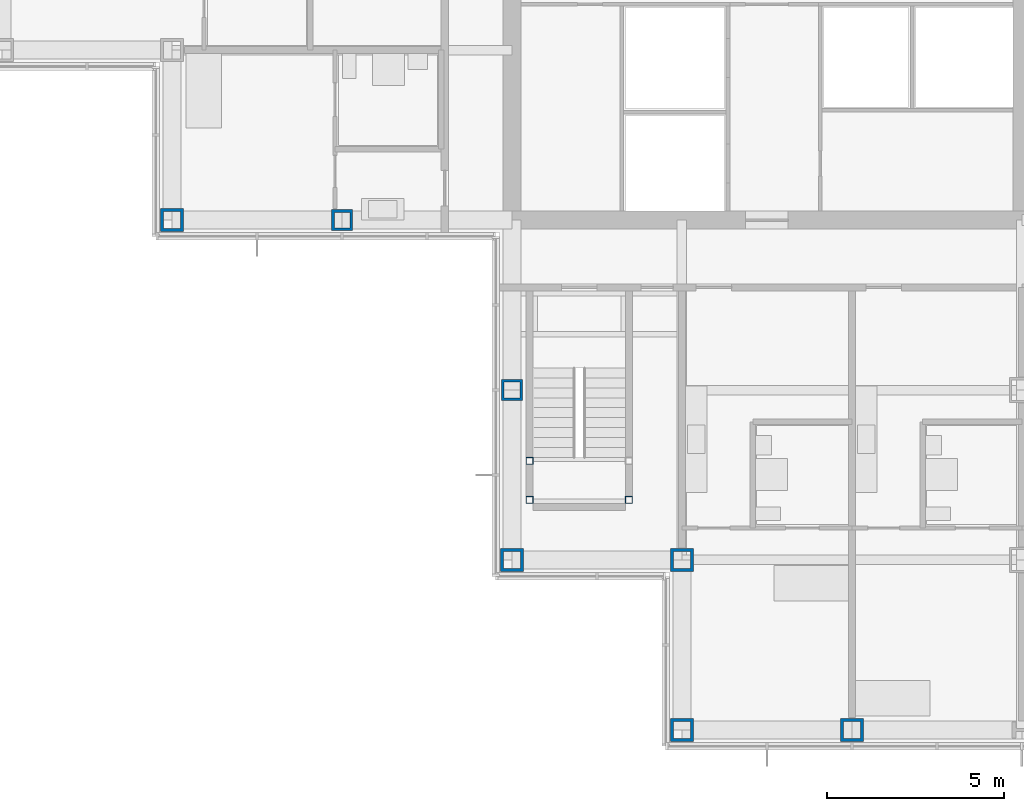
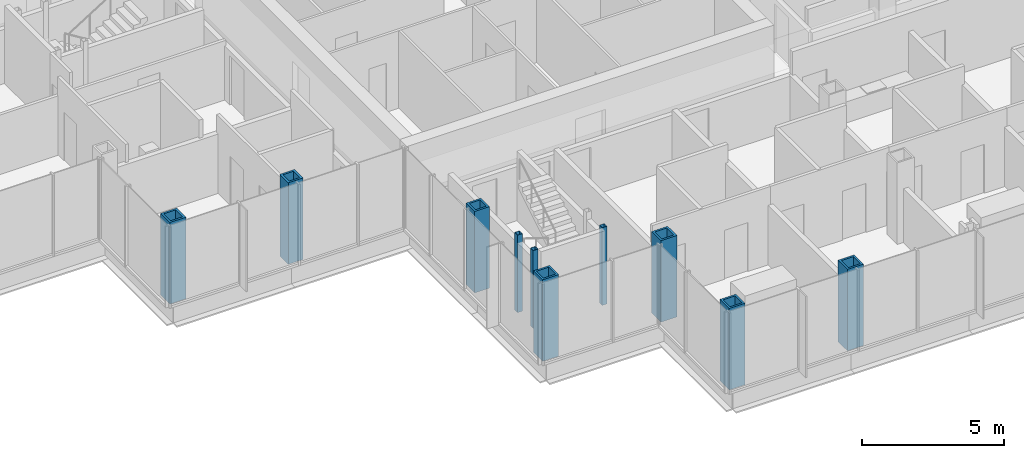
# One storey, part 1 of 20: 10 columns.
"""IFC4 building model written with IfcOpenShell, lengths in metres."""

from ifc_helpers import new_model, si_unit, direction, frame, origin, origin_2d, place, context, subcontext, project, spatial, hollow_rectangle, extrude, material, material_profile, profile_set, type_object, element, save


model = new_model("IFC4")

# Units and contexts
model_context = context("Model", 3, precision=1e-05, world=origin(), true_north=direction((0.0, 1.0)))
body_context = subcontext(model_context, "Body", "Model", "MODEL_VIEW")
ifc_project = project(units=[si_unit("LENGTHUNIT", "METRE"), si_unit("AREAUNIT", "SQUARE_METRE"), si_unit("VOLUMEUNIT", "CUBIC_METRE"), si_unit("PLANEANGLEUNIT", "RADIAN"), si_unit("MASSUNIT", "GRAM", prefix="KILO")], contexts=[model_context])

# Site, building, storey
site_placement = place(None, origin())
site = spatial("IfcSite", under=ifc_project, at=site_placement, CompositionType="ELEMENT")
building_placement = place(site_placement, origin())
building = spatial("IfcBuilding", under=site, at=building_placement, Name="Kvirike Care Tower", CompositionType="ELEMENT")
storey_placement = place(building_placement, frame((0.0, 0.0, 91.0)))
storey = spatial("IfcBuildingStorey", under=building, at=storey_placement, Name="L24", CompositionType="ELEMENT", Elevation=91.0)

# Columns
ifc_material_1 = material(Name="Steel S460", Category="steel")
ifc_material_profile_1 = material_profile(ifc_material_1, hollow_rectangle(XDim=0.60009765625, YDim=0.60009765625, WallThickness=0.080078125, at=origin_2d()), Name="BX 600x600x80")
ifc_profile_set_1 = profile_set([ifc_material_profile_1], Name="Steel S460")
column_type_1 = type_object("IfcColumnType", Name="COLUMN BX 600x600x80", PredefinedType="COLUMN", material=ifc_profile_set_1)
for number, where, z_axis, x_axis, name in (
    (1, (9.60009765625, 28.800048828125, 0.0), (0.0, 0.0, 1.0), (0.0, 1.0, 0.0), "Column G5 L24"),
    (2, (14.39990234375, 24.0, 0.0), (0.0, 0.0, 1.0), (1.0, 0.0, 0.0), "Column F6 L24"),
):
    element("IfcColumn", number, at=place(storey_placement, frame(where, z_axis=z_axis, x_axis=x_axis)), inside=storey, type_object=column_type_1, Name=name, PredefinedType="COLUMN", context=body_context, shape_type="SweptSolid", body=[
        extrude(hollow_rectangle(XDim=0.60009765625, YDim=0.60009765625, WallThickness=0.080078125, at=origin_2d()), origin(), (0.0, 0.0, 1.0), 3.5),
    ])
ifc_material_2 = material(Name="Steel S460", Category="steel")
ifc_material_profile_2 = material_profile(ifc_material_2, hollow_rectangle(XDim=0.64990234375, YDim=0.64990234375, WallThickness=0.080078125, at=origin_2d()), Name="BX 650x650x80")
ifc_profile_set_2 = profile_set([ifc_material_profile_2], Name="Steel S460")
column_type_2 = type_object("IfcColumnType", Name="COLUMN BX 650x650x80", PredefinedType="COLUMN", material=ifc_profile_set_2)
for number, where, z_axis, x_axis, name in (
    (3, (4.800048828125, 28.800048828125, 0.0), (0.0, 0.0, 1.0), (0.0, 1.0, 0.0), "Column G4 L24"),
    (4, (14.39990234375, 19.199951171875, 0.0), (0.0, 0.0, 1.0), (0.0, 1.0, 0.0), "Column E6 L24"),
    (5, (19.199951171875, 14.39990234375, 0.0), (0.0, 0.0, 1.0), (0.0, 1.0, 0.0), "Column D7 L24"),
    (6, (19.199951171875, 19.199951171875, 0.0), (0.0, 0.0, 1.0), (0.0, 1.0, 0.0), "Column E7 L24"),
    (7, (24.0, 14.39990234375, 0.0), (0.0, 0.0, 1.0), (0.0, 1.0, 0.0), "Column D8 L24"),
):
    element("IfcColumn", number, at=place(storey_placement, frame(where, z_axis=z_axis, x_axis=x_axis)), inside=storey, type_object=column_type_2, Name=name, PredefinedType="COLUMN", context=body_context, shape_type="SweptSolid", body=[
        extrude(hollow_rectangle(XDim=0.64990234375, YDim=0.64990234375, WallThickness=0.080078125, at=origin_2d()), origin(), (0.0, 0.0, 1.0), 3.5),
    ])
ifc_material_3 = material(Name="Steel S460", Category="steel")
ifc_material_profile_3 = material_profile(ifc_material_3, hollow_rectangle(XDim=0.199951171875, YDim=0.199951171875, WallThickness=0.008056640625, at=origin_2d()), Name="SHS 200x200x8")
ifc_profile_set_3 = profile_set([ifc_material_profile_3], Name="Steel S460")
column_type_3 = type_object("IfcColumnType", Name="STAIR POST SHS 200x200x8", PredefinedType="COLUMN", material=ifc_profile_set_3)
for number, where, z_axis, x_axis, name in (
    (8, (14.89990234375, 20.89990234375, 0.0), (0.0, 0.0, 1.0), (1.0, 0.0, 0.0), "Stair 5 post 1 L24"),
    (9, (17.699951171875, 20.89990234375, 0.0), (0.0, 0.0, 1.0), (1.0, 0.0, 0.0), "Stair 5 post 2 L24"),
    (10, (14.89990234375, 22.0, 0.0), (0.0, 0.0, 1.0), (1.0, 0.0, 0.0), "Stair 5 post 3 L24"),
):
    element("IfcColumn", number, at=place(storey_placement, frame(where, z_axis=z_axis, x_axis=x_axis)), inside=storey, type_object=column_type_3, Name=name, PredefinedType="COLUMN", context=body_context, shape_type="SweptSolid", body=[
        extrude(hollow_rectangle(XDim=0.199951171875, YDim=0.199951171875, WallThickness=0.008056640625, at=origin_2d()), origin(), (0.0, 0.0, 1.0), 3.330078125),
    ])

save(model, "model.ifc")
